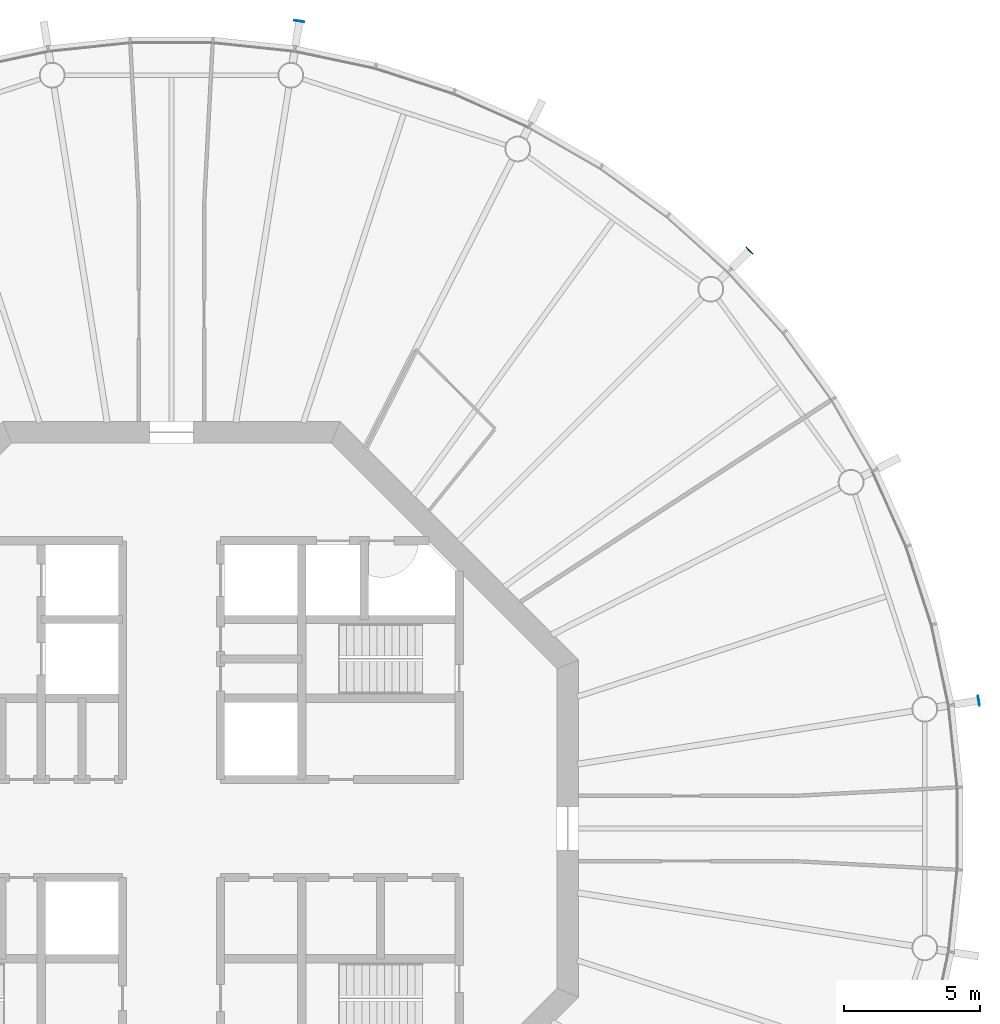
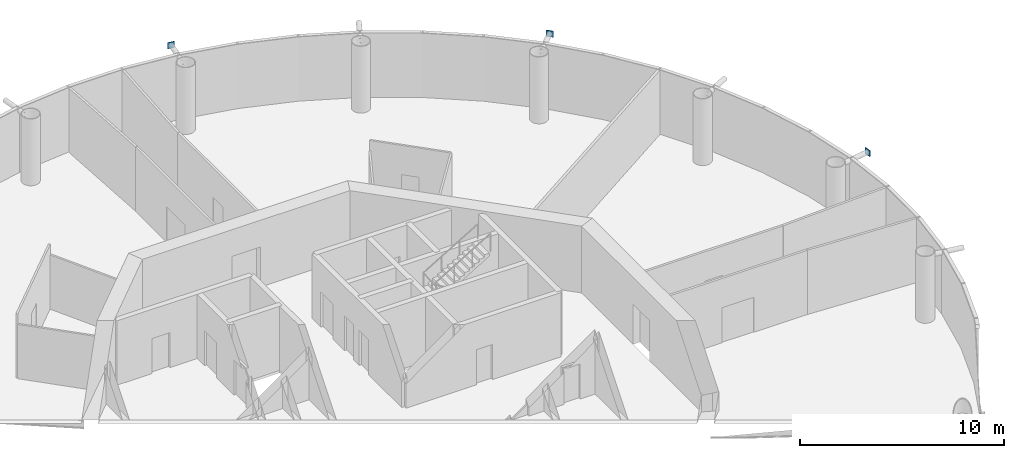
# One storey, part 10 of 17: 3 discrete accessories.
"""IFC4 building model written with IfcOpenShell, lengths in metres."""

import ifcopenshell
import ifcopenshell.guid

model = None  # the IFC model being written
_history = None  # IfcOwnerHistory: only IFC2X3 demands one
_inside = {}  # id of a spatial element -> (the spatial element, [elements in it])
_under = {}  # id of a project, library or spatial element -> (it, [spatial elements below it])
_declared = {}  # id of a project -> (the project, [libraries it declares])
_typed = {}  # id of a type object -> (the type object, [elements of that type])
_made_of = {}  # id of a material, layer set ... -> (it, [elements and type objects made of it])


def new_model(schema):
    """Start an empty IFC model of exactly this schema.

    Asked for "IFC4X3", IfcOpenShell would pick the latest addendum, in which some entities
    have other attributes; the version numbers below select the first issue.
    IFC2X3 requires an IfcOwnerHistory on every rooted entity: one is made here for all.
    """
    global model, _history
    if schema == "IFC4X3":
        model = ifcopenshell.file(schema_version=(4, 3, 0, 0))
    else:
        model = ifcopenshell.file(schema=schema)
    _inside.clear()
    _under.clear()
    _declared.clear()
    _typed.clear()
    _made_of.clear()
    _history = None
    if model.schema == "IFC2X3":
        org = make("IfcOrganization", Name="unknown")
        user = make(
            "IfcPersonAndOrganization",
            ThePerson=make("IfcPerson", FamilyName="unknown"),
            TheOrganization=org,
        )
        app = make(
            "IfcApplication",
            ApplicationDeveloper=org,
            Version="unknown",
            ApplicationFullName="unknown",
            ApplicationIdentifier="unknown",
        )
        _history = make(
            "IfcOwnerHistory",
            OwningUser=user,
            OwningApplication=app,
            ChangeAction="ADDED",
            CreationDate=0,
        )
    return model


def make(cls, **values):
    """One entity of the class cls with the attributes given. An attribute that is None is left unset."""
    return model.create_entity(
        cls, **{name: value for name, value in values.items() if value is not None}
    )


def rooted(cls, **values):
    """An entity with a GlobalId (a new one), such as an element, a storey or a relation."""
    return make(cls, GlobalId=ifcopenshell.guid.new(), OwnerHistory=_history, **values)


def si_unit(unit_type, name, prefix=None):
    """IfcSIUnit, for example si_unit("LENGTHUNIT", "METRE", prefix="MILLI")."""
    return make("IfcSIUnit", UnitType=unit_type, Prefix=prefix, Name=name)


def assignment(units):
    """IfcUnitAssignment: the units of a project."""
    return None if units is None else make("IfcUnitAssignment", Units=units)


def point(xyz):
    """IfcCartesianPoint."""
    return None if xyz is None else make("IfcCartesianPoint", Coordinates=xyz)


def direction(xyz):
    """IfcDirection."""
    return None if xyz is None else make("IfcDirection", DirectionRatios=xyz)


def frame(location, z_axis=None, x_axis=None):
    """IfcAxis2Placement3D, a coordinate frame: its origin and axes. An axis left out is left unset."""
    return make(
        "IfcAxis2Placement3D",
        Location=point(location),
        Axis=direction(z_axis),
        RefDirection=direction(x_axis),
    )


def frame_2d(location, x_axis=None):
    """IfcAxis2Placement2D, a coordinate frame in the plane: its origin and x axis."""
    return make(
        "IfcAxis2Placement2D", Location=point(location), RefDirection=direction(x_axis)
    )


def origin():
    """The frame at (0, 0, 0) with its axes left unset."""
    return frame((0.0, 0.0, 0.0))


def origin_2d():
    """The frame at (0, 0) in the plane with its x axis left unset."""
    return frame_2d((0.0, 0.0))


def place(relative_to, where):
    """IfcLocalPlacement: puts the frame where relative to a parent placement (None: the world)."""
    return make(
        "IfcLocalPlacement", PlacementRelTo=relative_to, RelativePlacement=where
    )


def context(
    kind, dimensions, precision=None, world=None, true_north=None, identifier=None
):
    """IfcGeometricRepresentationContext, for example the 3D "Model" context."""
    return make(
        "IfcGeometricRepresentationContext",
        ContextIdentifier=identifier,
        ContextType=kind,
        CoordinateSpaceDimension=dimensions,
        Precision=precision,
        WorldCoordinateSystem=world,
        TrueNorth=true_north,
    )


def subcontext(parent, identifier, kind, view, scale=None):
    """IfcGeometricRepresentationSubContext, for example "Body" below "Model"."""
    return make(
        "IfcGeometricRepresentationSubContext",
        ContextIdentifier=identifier,
        ContextType=kind,
        ParentContext=parent,
        TargetScale=scale,
        TargetView=view,
    )


def project(units=None, contexts=None):
    """IfcProject with its units and contexts."""
    return rooted(
        "IfcProject",
        Name="project",
        RepresentationContexts=contexts,
        UnitsInContext=assignment(units),
    )


def spatial(cls, under=None, at=None, **own):
    """A site, building, storey or space (cls), placed at a placement, below another one or the project."""
    s = rooted(cls, ObjectPlacement=at, **own)
    if under is not None:
        _under.setdefault(under.id(), (under, []))[1].append(s)
    return s


def profile(cls, at=None, kind="AREA", **sizes):
    """A parametric profile (cls). Its sizes go by their IFC names, for example OverallWidth=200.0."""
    return make(cls, ProfileType=kind, Position=at, **sizes)


def rectangle(**sizes):
    """IfcRectangleProfileDef."""
    return profile("IfcRectangleProfileDef", **sizes)


def extrude(swept, where, along, depth):
    """IfcExtrudedAreaSolid: the profile swept, set in the frame where, extruded along a direction by depth."""
    return make(
        "IfcExtrudedAreaSolid",
        SweptArea=swept,
        Position=where,
        ExtrudedDirection=direction(along),
        Depth=depth,
    )


def shape(context_of_items, identifier, shape_type, items):
    """IfcShapeRepresentation: the items that make up one representation, for example the "Body"."""
    return make(
        "IfcShapeRepresentation",
        ContextOfItems=context_of_items,
        RepresentationIdentifier=identifier,
        RepresentationType=shape_type,
        Items=items,
    )


def material(Name=None, Category=None):
    """IfcMaterial."""
    return make("IfcMaterial", Name=Name, Category=Category)


def made_of(thing, what):
    """Note that an element or type object is made of a material, layer set ...; save() writes the relation."""
    if what is not None:
        _made_of.setdefault(what.id(), (what, []))[1].append(thing)
    return thing


def element(
    cls,
    number,
    at=None,
    inside=None,
    cuts=None,
    type_object=None,
    material=None,
    context=None,
    identifier="Body",
    shape_type=None,
    held_by="IfcProductDefinitionShape",
    body=None,
    shapes=None,
    **own,
):
    """One element of the class cls, such as IfcWall. Its Tag is "e" and its number.

    at: its placement. inside: the storey or other place that contains it. cuts: it is an
    opening in that element (IfcRelVoidsElement). A single representation is given by context,
    identifier, shape_type and body (its items); several are given by shapes. held_by: the class
    of the entity that holds the representations. save() writes the other relations.
    """
    e = rooted(cls, Tag="e%d" % number, ObjectPlacement=at, **own)
    if body is not None:
        shapes = [shape(context, identifier, shape_type, body)]
    if shapes is not None:
        e.Representation = make(held_by, Representations=shapes)
    if inside is not None:
        _inside.setdefault(inside.id(), (inside, []))[1].append(e)
    if cuts is not None:
        rooted(
            "IfcRelVoidsElement", RelatingBuildingElement=cuts, RelatedOpeningElement=e
        )
    if type_object is not None:
        _typed.setdefault(type_object.id(), (type_object, []))[1].append(e)
    return made_of(e, material)


def aggregate(whole, parts):
    """IfcRelAggregates: a whole, such as a stair, and the parts it consists of."""
    return rooted("IfcRelAggregates", RelatingObject=whole, RelatedObjects=parts)


def save(model, path):
    """Write the relations noted so far, then the file.

    IfcRelAggregates (storeys below a building ...), IfcRelContainedInSpatialStructure (elements
    in a storey), IfcRelDefinesByType, IfcRelAssociatesMaterial and IfcRelDeclares: one each for
    every whole, place, type object, material and project.
    """
    for whole, parts in _under.values():
        aggregate(whole, parts)
    for where, things in _inside.values():
        rooted(
            "IfcRelContainedInSpatialStructure",
            RelatedElements=things,
            RelatingStructure=where,
        )
    for kind, things in _typed.values():
        rooted("IfcRelDefinesByType", RelatedObjects=things, RelatingType=kind)
    for what, things in _made_of.values():
        rooted("IfcRelAssociatesMaterial", RelatedObjects=things, RelatingMaterial=what)
    for by, libraries in _declared.values():
        rooted("IfcRelDeclares", RelatingContext=by, RelatedDefinitions=libraries)
    model.write(path)


model = new_model("IFC4")

# Units and contexts
model_context = context("Model", 3, precision=1e-05, world=origin(), true_north=direction((0.0, 1.0)))
body_context = subcontext(model_context, "Body", "Model", "MODEL_VIEW")
ifc_project = project(units=[si_unit("LENGTHUNIT", "METRE"), si_unit("AREAUNIT", "SQUARE_METRE"), si_unit("VOLUMEUNIT", "CUBIC_METRE"), si_unit("PLANEANGLEUNIT", "RADIAN"), si_unit("MASSUNIT", "GRAM", prefix="KILO")], contexts=[model_context])

# Site, building, storey
site_placement = place(None, origin())
site = spatial("IfcSite", under=ifc_project, at=site_placement, CompositionType="ELEMENT")
building_placement = place(site_placement, origin())
building = spatial("IfcBuilding", under=site, at=building_placement, Name="Entoto Ring Tower", CompositionType="ELEMENT")
storey_placement = place(building_placement, frame((0.0, 0.0, 306.0)))
storey = spatial("IfcBuildingStorey", under=building, at=storey_placement, Name="L70", CompositionType="ELEMENT", Elevation=306.0)

# Discrete accessories
ifc_material = material(Name="Steel S355", Category="steel")
for number, where, z_axis, x_axis, name in (
    (1, (111.29443359375, 101.29443359375, 3.52685546875), (0.0, 0.0, 1.0), (0.707106781187, 0.707106781187, 0.0), "Node strut end plate DS2 ring 23 02"),
    (2, (94.7109375, 109.744140625, 3.52685546875), (0.0, 0.0, 1.0), (0.15643446504, 0.987688340595, 0.0), "Node strut end plate DS2 ring 23 04"),
    (3, (119.744140625, 84.7109375, 3.52685546875), (0.0, 0.0, 1.0), (0.987688340595, 0.15643446504, 0.0), "Node strut end plate DS2 ring 23 20"),
):
    element("IfcDiscreteAccessory", number, at=place(storey_placement, frame(where, z_axis=z_axis, x_axis=x_axis)), inside=storey, material=ifc_material, Name=name, PredefinedType="BRACKET", context=body_context, shape_type="SweptSolid", body=[
        extrude(rectangle(XDim=0.030029296875, YDim=0.373046875, at=origin_2d()), origin(), (0.0, 0.0, 1.0), 0.373046875),
    ])

save(model, "model.ifc")
